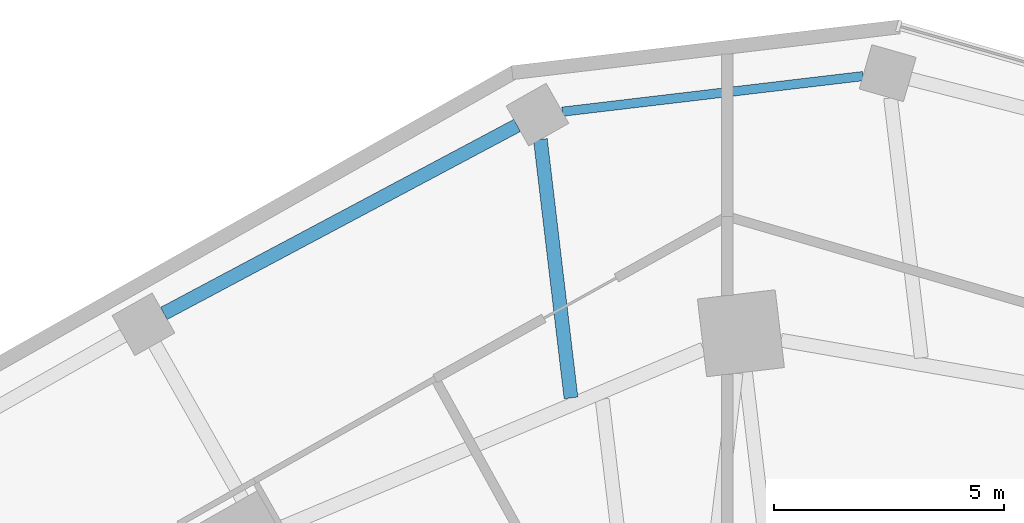
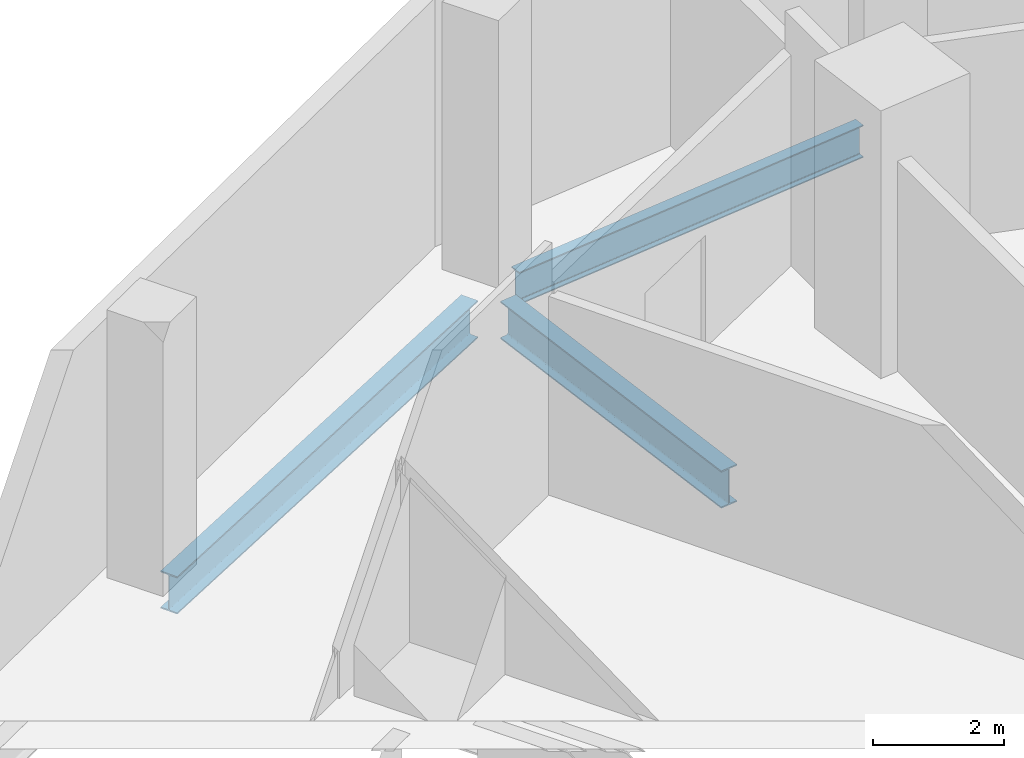
# One storey, part 4 of 18: 3 beams.
"""IFC4 building model written with IfcOpenShell, lengths in metres."""

from ifc_helpers import new_model, si_unit, direction, frame, origin, origin_2d, place, context, subcontext, project, spatial, i_section, extrude, material, material_profile, profile_set, type_object, element, save


model = new_model("IFC4")

# Units and contexts
model_context = context("Model", 3, precision=1e-05, world=origin(), true_north=direction((0.0, 1.0)))
body_context = subcontext(model_context, "Body", "Model", "MODEL_VIEW")
ifc_project = project(units=[si_unit("LENGTHUNIT", "METRE"), si_unit("AREAUNIT", "SQUARE_METRE"), si_unit("VOLUMEUNIT", "CUBIC_METRE"), si_unit("PLANEANGLEUNIT", "RADIAN"), si_unit("MASSUNIT", "GRAM", prefix="KILO")], contexts=[model_context])

# Site, building, storey
site_placement = place(None, origin())
site = spatial("IfcSite", under=ifc_project, at=site_placement, CompositionType="ELEMENT")
building_placement = place(site_placement, origin())
building = spatial("IfcBuilding", under=site, at=building_placement, Name="Binnacle Exchange Tower", CompositionType="ELEMENT")
storey_placement = place(building_placement, frame((0.0, 0.0, 6.5)))
storey = spatial("IfcBuildingStorey", under=building, at=storey_placement, Name="L01", CompositionType="ELEMENT", Elevation=6.5)

# Beams
ifc_material = material(Name="Steel S355 (SHN355)", Category="steel")
ifc_material_profile_1 = material_profile(ifc_material, i_section(OverallWidth=0.200927734375, OverallDepth=0.60595703125, WebThickness=0.011962890625, FlangeThickness=0.02001953125, FilletRadius=0.02197265625, at=origin_2d()), Name="H 606x201x12x20")
ifc_profile_set_1 = profile_set([ifc_material_profile_1], Name="Steel S355 (SHN355)")
beam_type_1 = type_object("IfcBeamType", Name="Edge girder H 606x201x12x20 Steel S355 (SHN355)", PredefinedType="SPANDREL", material=ifc_profile_set_1)
beam_1_placement = place(storey_placement, frame((-3.577392578125, 74.2734375, -0.653076171875), z_axis=(0.993065632937, 0.117561255009, 0.0), x_axis=(-0.117561255009, 0.993065632937, 0.0)))
element("IfcBeam", 1, at=beam_1_placement, inside=storey, type_object=beam_type_1, Name="S:BM:edge:L01:042", PredefinedType="SPANDREL", context=body_context, shape_type="SweptSolid", body=[
    extrude(i_section(OverallWidth=0.200927734375, OverallDepth=0.60595703125, WebThickness=0.011962890625, FlangeThickness=0.02001953125, FilletRadius=0.02197265625, at=origin_2d()), origin(), (0.0, 0.0, 1.0), 6.57080078125),
])
ifc_material_profile_2 = material_profile(ifc_material, i_section(OverallWidth=0.300048828125, OverallDepth=0.699951171875, WebThickness=0.012939453125, FlangeThickness=0.02392578125, FilletRadius=0.028076171875, at=origin_2d()), Name="H 700x300x13x24")
ifc_profile_set_2 = profile_set([ifc_material_profile_2], Name="Steel S355 (SHN355)")
beam_type_2 = type_object("IfcBeamType", Name="Edge girder H 700x300x13x24 Steel S355 (SHN355)", PredefinedType="SPANDREL", material=ifc_profile_set_2)
beam_2_placement = place(storey_placement, frame((-12.225830078125, 69.893798828125, -0.699951171875), z_axis=(0.882784358994, 0.469778432365, 0.0), x_axis=(-0.469778432365, 0.882784358994, 0.0)))
element("IfcBeam", 2, at=beam_2_placement, inside=storey, type_object=beam_type_2, Name="S:BM:edge:L01:038", PredefinedType="SPANDREL", context=body_context, shape_type="SweptSolid", body=[
    extrude(i_section(OverallWidth=0.300048828125, OverallDepth=0.699951171875, WebThickness=0.012939453125, FlangeThickness=0.02392578125, FilletRadius=0.028076171875, at=origin_2d()), origin(), (0.0, 0.0, 1.0), 8.686767578125),
])
ifc_material_profile_3 = material_profile(ifc_material, i_section(OverallWidth=0.300048828125, OverallDepth=0.699951171875, WebThickness=0.012939453125, FlangeThickness=0.02392578125, FilletRadius=0.028076171875, at=origin_2d()), Name="H 700x300x13x24")
ifc_profile_set_3 = profile_set([ifc_material_profile_3], Name="Steel S355 (SHN355)")
beam_type_3 = type_object("IfcBeamType", Name="Floor beam H 700x300x13x24 Steel S355 (SHN355)", PredefinedType="BEAM", material=ifc_profile_set_3)
beam_3_placement = place(storey_placement, frame((-4.05224609375, 73.67138671875, -0.699951171875), z_axis=(0.117558403609, -0.993065970488, 0.0), x_axis=(0.993065970488, 0.117558403609, 0.0)))
element("IfcBeam", 3, at=beam_3_placement, inside=storey, type_object=beam_type_3, Name="S:BM:cross:L01:101", PredefinedType="BEAM", context=body_context, shape_type="SweptSolid", body=[
    extrude(i_section(OverallWidth=0.300048828125, OverallDepth=0.699951171875, WebThickness=0.012939453125, FlangeThickness=0.02392578125, FilletRadius=0.028076171875, at=origin_2d()), origin(), (0.0, 0.0, 1.0), 5.648681640625),
])

save(model, "model.ifc")
